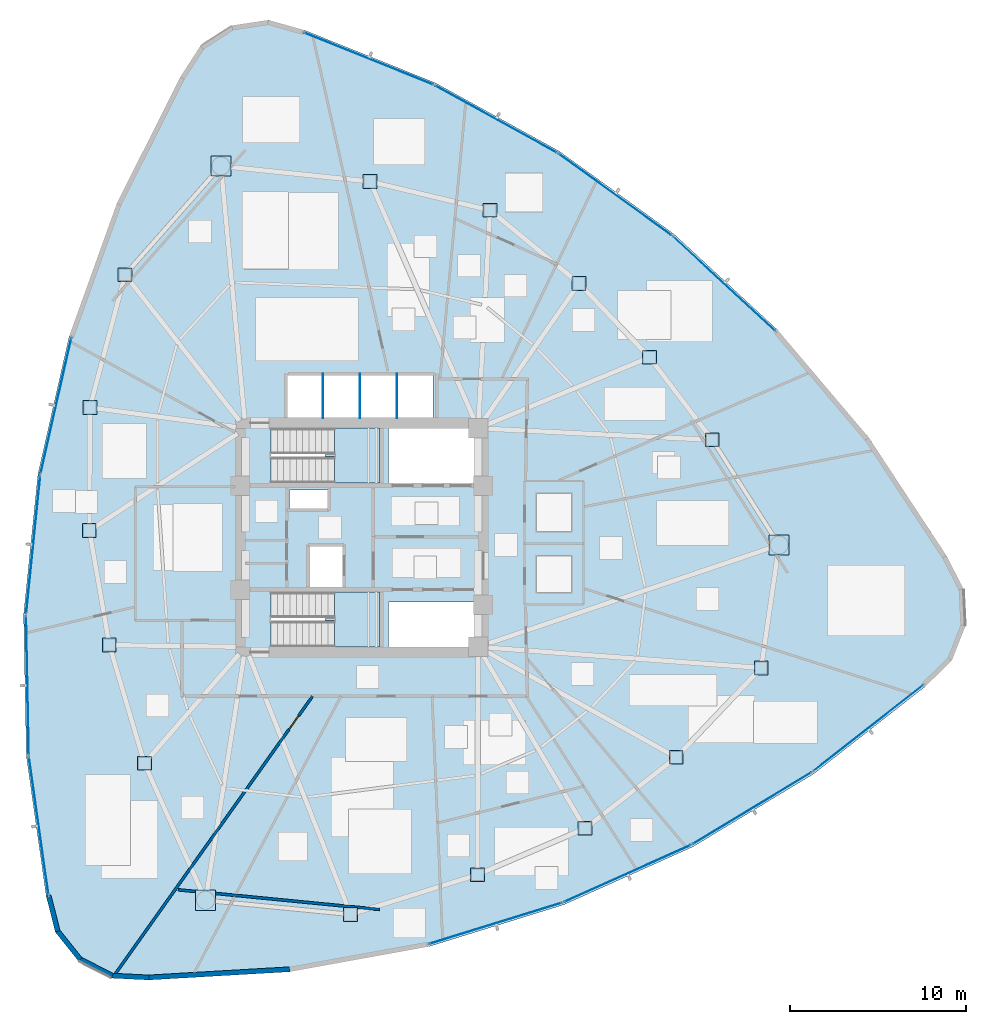
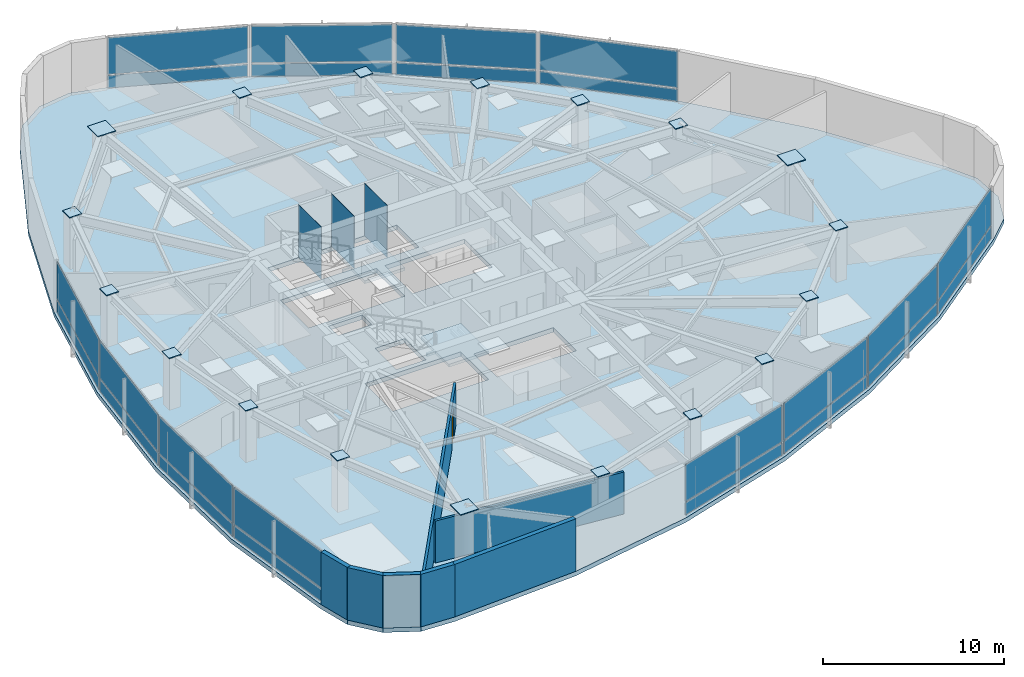
# One storey, part 10 of 17: 45 plates, 7 walls, 3 slabs, 1 door, 1 opening, 14 elements without a shape of their own.
"""IFC4 building model written with IfcOpenShell, lengths in metres."""

import ifcopenshell
import ifcopenshell.guid

model = None  # the IFC model being written
_history = None  # IfcOwnerHistory: only IFC2X3 demands one
_inside = {}  # id of a spatial element -> (the spatial element, [elements in it])
_under = {}  # id of a project, library or spatial element -> (it, [spatial elements below it])
_declared = {}  # id of a project -> (the project, [libraries it declares])
_typed = {}  # id of a type object -> (the type object, [elements of that type])
_made_of = {}  # id of a material, layer set ... -> (it, [elements and type objects made of it])


def new_model(schema):
    """Start an empty IFC model of exactly this schema.

    Asked for "IFC4X3", IfcOpenShell would pick the latest addendum, in which some entities
    have other attributes; the version numbers below select the first issue.
    IFC2X3 requires an IfcOwnerHistory on every rooted entity: one is made here for all.
    """
    global model, _history
    if schema == "IFC4X3":
        model = ifcopenshell.file(schema_version=(4, 3, 0, 0))
    else:
        model = ifcopenshell.file(schema=schema)
    _inside.clear()
    _under.clear()
    _declared.clear()
    _typed.clear()
    _made_of.clear()
    _history = None
    if model.schema == "IFC2X3":
        org = make("IfcOrganization", Name="unknown")
        user = make(
            "IfcPersonAndOrganization",
            ThePerson=make("IfcPerson", FamilyName="unknown"),
            TheOrganization=org,
        )
        app = make(
            "IfcApplication",
            ApplicationDeveloper=org,
            Version="unknown",
            ApplicationFullName="unknown",
            ApplicationIdentifier="unknown",
        )
        _history = make(
            "IfcOwnerHistory",
            OwningUser=user,
            OwningApplication=app,
            ChangeAction="ADDED",
            CreationDate=0,
        )
    return model


def make(cls, **values):
    """One entity of the class cls with the attributes given. An attribute that is None is left unset."""
    return model.create_entity(
        cls, **{name: value for name, value in values.items() if value is not None}
    )


def rooted(cls, **values):
    """An entity with a GlobalId (a new one), such as an element, a storey or a relation."""
    return make(cls, GlobalId=ifcopenshell.guid.new(), OwnerHistory=_history, **values)


def si_unit(unit_type, name, prefix=None):
    """IfcSIUnit, for example si_unit("LENGTHUNIT", "METRE", prefix="MILLI")."""
    return make("IfcSIUnit", UnitType=unit_type, Prefix=prefix, Name=name)


def assignment(units):
    """IfcUnitAssignment: the units of a project."""
    return None if units is None else make("IfcUnitAssignment", Units=units)


def point(xyz):
    """IfcCartesianPoint."""
    return None if xyz is None else make("IfcCartesianPoint", Coordinates=xyz)


def direction(xyz):
    """IfcDirection."""
    return None if xyz is None else make("IfcDirection", DirectionRatios=xyz)


def frame(location, z_axis=None, x_axis=None):
    """IfcAxis2Placement3D, a coordinate frame: its origin and axes. An axis left out is left unset."""
    return make(
        "IfcAxis2Placement3D",
        Location=point(location),
        Axis=direction(z_axis),
        RefDirection=direction(x_axis),
    )


def frame_2d(location, x_axis=None):
    """IfcAxis2Placement2D, a coordinate frame in the plane: its origin and x axis."""
    return make(
        "IfcAxis2Placement2D", Location=point(location), RefDirection=direction(x_axis)
    )


def origin():
    """The frame at (0, 0, 0) with its axes left unset."""
    return frame((0.0, 0.0, 0.0))


def origin_2d():
    """The frame at (0, 0) in the plane with its x axis left unset."""
    return frame_2d((0.0, 0.0))


def place(relative_to, where):
    """IfcLocalPlacement: puts the frame where relative to a parent placement (None: the world)."""
    return make(
        "IfcLocalPlacement", PlacementRelTo=relative_to, RelativePlacement=where
    )


def context(
    kind, dimensions, precision=None, world=None, true_north=None, identifier=None
):
    """IfcGeometricRepresentationContext, for example the 3D "Model" context."""
    return make(
        "IfcGeometricRepresentationContext",
        ContextIdentifier=identifier,
        ContextType=kind,
        CoordinateSpaceDimension=dimensions,
        Precision=precision,
        WorldCoordinateSystem=world,
        TrueNorth=true_north,
    )


def subcontext(parent, identifier, kind, view, scale=None):
    """IfcGeometricRepresentationSubContext, for example "Body" below "Model"."""
    return make(
        "IfcGeometricRepresentationSubContext",
        ContextIdentifier=identifier,
        ContextType=kind,
        ParentContext=parent,
        TargetScale=scale,
        TargetView=view,
    )


def project(units=None, contexts=None):
    """IfcProject with its units and contexts."""
    return rooted(
        "IfcProject",
        Name="project",
        RepresentationContexts=contexts,
        UnitsInContext=assignment(units),
    )


def spatial(cls, under=None, at=None, **own):
    """A site, building, storey or space (cls), placed at a placement, below another one or the project."""
    s = rooted(cls, ObjectPlacement=at, **own)
    if under is not None:
        _under.setdefault(under.id(), (under, []))[1].append(s)
    return s


def polyline(points):
    """IfcPolyline through the points."""
    return make("IfcPolyline", Points=[point(p) for p in points])


def profile(cls, at=None, kind="AREA", **sizes):
    """A parametric profile (cls). Its sizes go by their IFC names, for example OverallWidth=200.0."""
    return make(cls, ProfileType=kind, Position=at, **sizes)


def rectangle(**sizes):
    """IfcRectangleProfileDef."""
    return profile("IfcRectangleProfileDef", **sizes)


def outline(outer, holes=None, kind="AREA"):
    """IfcArbitraryClosedProfileDef: a profile drawn as a closed curve; with holes, ...WithVoids."""
    if holes is None:
        return make("IfcArbitraryClosedProfileDef", ProfileType=kind, OuterCurve=outer)
    return make(
        "IfcArbitraryProfileDefWithVoids",
        ProfileType=kind,
        OuterCurve=outer,
        InnerCurves=holes,
    )


def extrude(swept, where, along, depth):
    """IfcExtrudedAreaSolid: the profile swept, set in the frame where, extruded along a direction by depth."""
    return make(
        "IfcExtrudedAreaSolid",
        SweptArea=swept,
        Position=where,
        ExtrudedDirection=direction(along),
        Depth=depth,
    )


def shape(context_of_items, identifier, shape_type, items):
    """IfcShapeRepresentation: the items that make up one representation, for example the "Body"."""
    return make(
        "IfcShapeRepresentation",
        ContextOfItems=context_of_items,
        RepresentationIdentifier=identifier,
        RepresentationType=shape_type,
        Items=items,
    )


def source(mapping_origin, context_of_items, identifier, shape_type, items):
    """IfcRepresentationMap: a shape defined once, which mapped items show again and again."""
    return make(
        "IfcRepresentationMap",
        MappingOrigin=mapping_origin,
        MappedRepresentation=shape(context_of_items, identifier, shape_type, items),
    )


def transform(
    local_origin,
    x_axis=None,
    y_axis=None,
    z_axis=None,
    scale=None,
    scale2=None,
    scale3=None,
    uniform=True,
):
    """IfcCartesianTransformationOperator3D, or its non-uniform kind. x_axis, y_axis, z_axis: its Axis1, 2, 3."""
    if uniform:
        return make(
            "IfcCartesianTransformationOperator3D",
            Axis1=direction(x_axis),
            Axis2=direction(y_axis),
            LocalOrigin=point(local_origin),
            Scale=scale,
            Axis3=direction(z_axis),
        )
    return make(
        "IfcCartesianTransformationOperator3DnonUniform",
        Axis1=direction(x_axis),
        Axis2=direction(y_axis),
        LocalOrigin=point(local_origin),
        Scale=scale,
        Axis3=direction(z_axis),
        Scale2=scale2,
        Scale3=scale3,
    )


def mapped(mapping_source, mapping_target):
    """IfcMappedItem: shows the shape of a source again, moved by a transform."""
    return make(
        "IfcMappedItem", MappingSource=mapping_source, MappingTarget=mapping_target
    )


def material(Name=None, Category=None):
    """IfcMaterial."""
    return make("IfcMaterial", Name=Name, Category=Category)


def layer(
    of_material, thickness, ventilated=None, Name=None, Category=None, Priority=None
):
    """IfcMaterialLayer: one layer of a wall or slab, of a material (None: an air gap)."""
    return make(
        "IfcMaterialLayer",
        Material=of_material,
        LayerThickness=thickness,
        IsVentilated=ventilated,
        Name=Name,
        Category=Category,
        Priority=Priority,
    )


def layer_set(layers, Name=None):
    """IfcMaterialLayerSet."""
    return make("IfcMaterialLayerSet", MaterialLayers=layers, LayerSetName=Name)


def made_of(thing, what):
    """Note that an element or type object is made of a material, layer set ...; save() writes the relation."""
    if what is not None:
        _made_of.setdefault(what.id(), (what, []))[1].append(thing)
    return thing


def type_object(cls, material=None, **own):
    """A type object (cls), such as IfcWallType, which elements share."""
    return made_of(rooted(cls, **own), material)


def type_shapes(of_type, sources):
    """Give a type object the sources (RepresentationMaps) that its elements show as mapped items."""
    of_type.RepresentationMaps = sources


def element(
    cls,
    number,
    at=None,
    inside=None,
    cuts=None,
    type_object=None,
    material=None,
    context=None,
    identifier="Body",
    shape_type=None,
    held_by="IfcProductDefinitionShape",
    body=None,
    shapes=None,
    **own,
):
    """One element of the class cls, such as IfcWall. Its Tag is "e" and its number.

    at: its placement. inside: the storey or other place that contains it. cuts: it is an
    opening in that element (IfcRelVoidsElement). A single representation is given by context,
    identifier, shape_type and body (its items); several are given by shapes. held_by: the class
    of the entity that holds the representations. save() writes the other relations.
    """
    e = rooted(cls, Tag="e%d" % number, ObjectPlacement=at, **own)
    if body is not None:
        shapes = [shape(context, identifier, shape_type, body)]
    if shapes is not None:
        e.Representation = make(held_by, Representations=shapes)
    if inside is not None:
        _inside.setdefault(inside.id(), (inside, []))[1].append(e)
    if cuts is not None:
        rooted(
            "IfcRelVoidsElement", RelatingBuildingElement=cuts, RelatedOpeningElement=e
        )
    if type_object is not None:
        _typed.setdefault(type_object.id(), (type_object, []))[1].append(e)
    return made_of(e, material)


def fill(opening, filler):
    """IfcRelFillsElement: the door or window that sits in an opening."""
    return rooted(
        "IfcRelFillsElement",
        RelatingOpeningElement=opening,
        RelatedBuildingElement=filler,
    )


def aggregate(whole, parts):
    """IfcRelAggregates: a whole, such as a stair, and the parts it consists of."""
    return rooted("IfcRelAggregates", RelatingObject=whole, RelatedObjects=parts)


def save(model, path):
    """Write the relations noted so far, then the file.

    IfcRelAggregates (storeys below a building ...), IfcRelContainedInSpatialStructure (elements
    in a storey), IfcRelDefinesByType, IfcRelAssociatesMaterial and IfcRelDeclares: one each for
    every whole, place, type object, material and project.
    """
    for whole, parts in _under.values():
        aggregate(whole, parts)
    for where, things in _inside.values():
        rooted(
            "IfcRelContainedInSpatialStructure",
            RelatedElements=things,
            RelatingStructure=where,
        )
    for kind, things in _typed.values():
        rooted("IfcRelDefinesByType", RelatedObjects=things, RelatingType=kind)
    for what, things in _made_of.values():
        rooted("IfcRelAssociatesMaterial", RelatedObjects=things, RelatingMaterial=what)
    for by, libraries in _declared.values():
        rooted("IfcRelDeclares", RelatingContext=by, RelatedDefinitions=libraries)
    model.write(path)


model = new_model("IFC4")

# Units and contexts
model_context = context("Model", 3, precision=1e-05, world=origin(), true_north=direction((0.0, 1.0)))
body_context = subcontext(model_context, "Body", "Model", "MODEL_VIEW")
ifc_project = project(units=[si_unit("LENGTHUNIT", "METRE"), si_unit("AREAUNIT", "SQUARE_METRE"), si_unit("VOLUMEUNIT", "CUBIC_METRE"), si_unit("PLANEANGLEUNIT", "RADIAN"), si_unit("MASSUNIT", "GRAM", prefix="KILO")], contexts=[model_context])

# Site, building, storey
site_placement = place(None, origin())
site = spatial("IfcSite", under=ifc_project, at=site_placement, CompositionType="ELEMENT")
building_placement = place(site_placement, origin())
building = spatial("IfcBuilding", under=site, at=building_placement, Name="Tavelor Broadcast Tower", CompositionType="ELEMENT")
storey_placement = place(building_placement, frame((0.0, 0.0, 119.449951171875)))
storey = spatial("IfcBuildingStorey", under=building, at=storey_placement, Name="L27", CompositionType="ELEMENT", Elevation=119.449951171875)

# Stair, slab
ifc_material_1 = material(Name="Concrete C40/50", Category="concrete")
stair_type = type_object("IfcStairType", Name="Reinforced Concrete Protected Dogleg Stair 1450 mm", PredefinedType="HALF_TURN_STAIR", material=ifc_material_1)
stair_1_placement = place(storey_placement, origin())
stair_1 = element("IfcStair", 1, at=stair_1_placement, inside=storey, type_object=stair_type, Name="L27 Protected Core Exit Stair ST1", PredefinedType="HALF_TURN_STAIR")
ifc_layer_1 = layer(ifc_material_1, 0.199951171875)
ifc_layer_set_1 = layer_set([ifc_layer_1], Name="Concrete C40/50")
slab_type_1 = type_object("IfcSlabType", Name="Reinforced Concrete Stair Half-Landing Slab 200 mm", PredefinedType="LANDING", material=ifc_layer_set_1)
slab_1_placement = place(storey_placement, frame((0.0, 0.0, 1.72509765625)))
slab_1 = element("IfcSlab", 2, at=slab_1_placement, type_object=slab_type_1, Name="ST1 landing 1", PredefinedType="LANDING", context=body_context, shape_type="SweptSolid", body=[
    extrude(outline(polyline([(48.445068359375, 49.590087890625), (48.445068359375, 48.094970703125), (51.0048828125, 48.094970703125), (51.0048828125, 51.205078125), (48.445068359375, 51.205078125), (48.445068359375, 49.7099609375), (47.905029296875, 49.7099609375), (47.905029296875, 49.590087890625), (48.445068359375, 49.590087890625)])), origin(), (0.0, 0.0, 1.0), 0.199951171875),
])
aggregate(stair_1, [slab_1])

stair_2_placement = place(storey_placement, origin())
stair_2 = element("IfcStair", 3, at=stair_2_placement, inside=storey, type_object=stair_type, Name="L27 Protected Core Exit Stair ST2", PredefinedType="HALF_TURN_STAIR")
slab_2_placement = place(storey_placement, frame((0.0, 0.0, 1.72509765625)))
slab_2 = element("IfcSlab", 4, at=slab_2_placement, type_object=slab_type_1, Name="ST2 landing 1", PredefinedType="LANDING", context=body_context, shape_type="SweptSolid", body=[
    extrude(outline(polyline([(48.445068359375, 40.2900390625), (48.445068359375, 38.794921875), (51.0048828125, 38.794921875), (51.0048828125, 41.905029296875), (48.445068359375, 41.905029296875), (48.445068359375, 40.409912109375), (47.905029296875, 40.409912109375), (47.905029296875, 40.2900390625), (48.445068359375, 40.2900390625)])), origin(), (0.0, 0.0, 1.0), 0.199951171875),
])
aggregate(stair_2, [slab_2])

# Slab
ifc_layer_2 = layer(ifc_material_1, 0.300048828125)
ifc_layer_set_2 = layer_set([ifc_layer_2], Name="Concrete C40/50")
slab_type_2 = type_object("IfcSlabType", Name="Tower Composite Floor Slab 300 mm", PredefinedType="FLOOR", material=ifc_layer_set_2)
slab_3_placement = place(storey_placement, frame((0.0, 0.0, -0.300048828125)))
element("IfcSlab", 5, at=slab_3_placement, inside=storey, type_object=slab_type_2, Name="L27 Structural Floor Slab", PredefinedType="FLOOR", context=body_context, shape_type="SweptSolid", body=[
    extrude(outline(polyline([(46.734375, 73.792724609375), (44.706298828125, 74.36474609375), (42.622314453125, 74.051513671875), (40.85205078125, 72.908447265625), (39.708984375, 71.13818359375), (36.10791015625, 63.970947265625), (33.400634765625, 56.420654296875), (31.626953125, 48.59814453125), (30.81298828125, 40.61865234375), (30.970703125, 32.59912109375), (32.097412109375, 24.65771484375), (32.6162109375, 22.615234375), (33.929443359375, 20.96728515625), (35.8046875, 20.005615234375), (37.9091796875, 19.90087890625), (45.916748046875, 20.365966796875), (53.80908203125, 21.796630859375), (61.47021484375, 24.171630859375), (68.787841796875, 27.45654296875), (75.654052734375, 31.602783203125), (81.968017578125, 36.54931640625), (83.4775390625, 38.019775390625), (84.248291015625, 39.981201171875), (84.143310546875, 42.085693359375), (83.181884765625, 43.9609375), (78.775390625, 50.6630859375), (73.590087890625, 56.78271484375), (67.70263671875, 62.22998046875), (61.19921875, 66.9248046875), (54.17529296875, 70.798095703125), (46.734375, 73.792724609375)]), holes=[polyline([(56.60009765625, 41.35009765625), (56.60009765625, 38.800048828125), (51.52001953125, 38.800048828125), (51.52001953125, 41.35009765625), (56.60009765625, 41.35009765625)]), polyline([(50.99609375, 38.803955078125), (44.85400390625, 38.803955078125), (44.85400390625, 41.89599609375), (50.99609375, 41.89599609375), (50.99609375, 38.803955078125)]), polyline([(47.050048828125, 42.199951171875), (47.050048828125, 44.550048828125), (48.949951171875, 44.550048828125), (48.949951171875, 42.199951171875), (47.050048828125, 42.199951171875)]), polyline([(48.050048828125, 46.64990234375), (45.89990234375, 46.64990234375), (45.89990234375, 47.699951171875), (48.050048828125, 47.699951171875), (48.050048828125, 46.64990234375)]), polyline([(50.99609375, 48.10400390625), (44.85400390625, 48.10400390625), (44.85400390625, 51.196044921875), (50.99609375, 51.196044921875), (50.99609375, 48.10400390625)]), polyline([(56.60009765625, 48.10009765625), (51.52001953125, 48.10009765625), (51.52001953125, 51.199951171875), (56.60009765625, 51.199951171875), (56.60009765625, 48.10009765625)]), polyline([(54.050048828125, 51.800048828125), (45.800048828125, 51.800048828125), (45.800048828125, 54.25), (54.050048828125, 54.25), (54.050048828125, 51.800048828125)])]), origin(), (0.0, 0.0, 1.0), 0.300048828125),
])

# Plates
ifc_material_2 = material(Name="Steel S460", Category="steel")
ifc_layer_3 = layer(ifc_material_2, 0.050048828125)
ifc_layer_set_3 = layer_set([ifc_layer_3], Name="Steel S460")
plate_type_1 = type_object("IfcPlateType", Name="Tube Hollow-End Cap Plate KN05 700x700x50", PredefinedType="USERDEFINED", material=ifc_layer_set_3)
shared_shape_1 = source(origin(), body_context, "Body", "SweptSolid", [
    extrude(rectangle(XDim=1.14697265625, YDim=1.14697265625, at=origin_2d()), origin(), (0.0, 0.0, 1.0), 0.054931640625),
])
for number, where, z_axis, x_axis, name in (
    (6, (42.01123046875, 66.080078125, 3.5224609375), (0.0, 0.0, 1.0), (1.0, 0.0, 0.0), "L27 Hollow End Cap Plate KN05 #783"),
    (7, (41.138671875, 24.423828125, 3.5224609375), (0.0, 0.0, 1.0), (1.0, 0.0, 0.0), "L27 Hollow End Cap Plate KN05 #789"),
    (8, (73.676025390625, 44.57958984375, 3.5224609375), (0.0, 0.0, 1.0), (1.0, 0.0, 0.0), "L27 Hollow End Cap Plate KN05 #795"),
):
    element("IfcPlate", number, at=place(storey_placement, frame(where, z_axis=z_axis, x_axis=x_axis)), inside=storey, type_object=plate_type_1, Name=name, ObjectType="CAP PLATE", PredefinedType="USERDEFINED", context=body_context, shape_type="MappedRepresentation", body=[
        mapped(shared_shape_1, transform((0.0, 0.0, 0.0), scale=1.0)),
    ])
shared_shape_2 = source(origin(), body_context, "Body", "SweptSolid", [
    extrude(rectangle(XDim=0.780029296875, YDim=0.780029296875, at=origin_2d()), origin(), (0.0, 0.0, 1.0), 0.054931640625),
])
type_shapes(plate_type_1, [shared_shape_1, shared_shape_2])
for number, where, z_axis, x_axis, name in (
    (9, (36.567626953125, 59.91064453125, 3.5224609375), (0.0, 0.0, 1.0), (1.0, 0.0, 0.0), "L27 Hollow End Cap Plate KN05 #784"),
    (10, (34.5751953125, 52.37939453125, 3.5224609375), (0.0, 0.0, 1.0), (1.0, 0.0, 0.0), "L27 Hollow End Cap Plate KN05 #785"),
    (11, (34.54638671875, 45.399169921875, 3.5224609375), (0.0, 0.0, 1.0), (1.0, 0.0, 0.0), "L27 Hollow End Cap Plate KN05 #786"),
    (12, (35.680908203125, 38.89990234375, 3.5224609375), (0.0, 0.0, 1.0), (1.0, 0.0, 0.0), "L27 Hollow End Cap Plate KN05 #787"),
    (13, (37.668212890625, 32.1904296875, 3.5224609375), (0.0, 0.0, 1.0), (1.0, 0.0, 0.0), "L27 Hollow End Cap Plate KN05 #788"),
    (14, (49.366455078125, 23.618896484375, 3.5224609375), (0.0, 0.0, 1.0), (1.0, 0.0, 0.0), "L27 Hollow End Cap Plate KN05 #790"),
    (15, (56.56103515625, 25.872802734375, 3.5224609375), (0.0, 0.0, 1.0), (1.0, 0.0, 0.0), "L27 Hollow End Cap Plate KN05 #791"),
    (16, (62.669189453125, 28.503173828125, 3.5224609375), (0.0, 0.0, 1.0), (1.0, 0.0, 0.0), "L27 Hollow End Cap Plate KN05 #792"),
    (17, (67.84228515625, 32.53173828125, 3.5224609375), (0.0, 0.0, 1.0), (1.0, 0.0, 0.0), "L27 Hollow End Cap Plate KN05 #793"),
    (18, (72.6591796875, 37.607421875, 3.5224609375), (0.0, 0.0, 1.0), (1.0, 0.0, 0.0), "L27 Hollow End Cap Plate KN05 #794"),
    (19, (69.885986328125, 50.544189453125, 3.5224609375), (0.0, 0.0, 1.0), (1.0, 0.0, 0.0), "L27 Hollow End Cap Plate KN05 #796"),
    (20, (66.322021484375, 55.228759765625, 3.5224609375), (0.0, 0.0, 1.0), (1.0, 0.0, 0.0), "L27 Hollow End Cap Plate KN05 #797"),
    (21, (62.330810546875, 59.416259765625, 3.5224609375), (0.0, 0.0, 1.0), (1.0, 0.0, 0.0), "L27 Hollow End Cap Plate KN05 #798"),
    (22, (57.276611328125, 63.568359375, 3.5224609375), (0.0, 0.0, 1.0), (1.0, 0.0, 0.0), "L27 Hollow End Cap Plate KN05 #799"),
    (23, (50.472412109375, 65.2021484375, 3.5224609375), (0.0, 0.0, 1.0), (1.0, 0.0, 0.0), "L27 Hollow End Cap Plate KN05 #800"),
):
    element("IfcPlate", number, at=place(storey_placement, frame(where, z_axis=z_axis, x_axis=x_axis)), inside=storey, type_object=plate_type_1, Name=name, ObjectType="CAP PLATE", PredefinedType="USERDEFINED", context=body_context, shape_type="MappedRepresentation", body=[
        mapped(shared_shape_2, transform((0.0, 0.0, 0.0), scale=1.0)),
    ])
ifc_material_3 = material(Name="Steel S355", Category="steel")
ifc_layer_4 = layer(ifc_material_3, 0.011962890625)
ifc_layer_set_4 = layer_set([ifc_layer_4], Name="Steel S355")
plate_type_2 = type_object("IfcPlateType", Name="Hoistway Steel Separator Screen 12 mm", PredefinedType="SHEET", material=ifc_layer_set_4)
shared_shape_3 = source(origin(), body_context, "Body", "SweptSolid", [
    extrude(rectangle(XDim=0.02001953125, YDim=2.52001953125, at=origin_2d()), origin(), (0.0, 0.0, 1.0), 3.550048828125),
])
type_shapes(plate_type_2, [shared_shape_3])
for number, where, z_axis, x_axis, name in (
    (24, (47.800048828125, 53.0400390625, 0.0), (0.0, 0.0, 1.0), (1.0, 0.0, 0.0), "L27 High-Rise Hoistway Separator Screen 1"),
    (25, (49.89990234375, 53.0400390625, 0.0), (0.0, 0.0, 1.0), (1.0, 0.0, 0.0), "L27 High-Rise Hoistway Separator Screen 2"),
    (26, (52.0, 53.0400390625, 0.0), (0.0, 0.0, 1.0), (1.0, 0.0, 0.0), "L27 High-Rise Hoistway Separator Screen 3"),
):
    element("IfcPlate", number, at=place(storey_placement, frame(where, z_axis=z_axis, x_axis=x_axis)), inside=storey, type_object=plate_type_2, Name=name, PredefinedType="SHEET", context=body_context, shape_type="MappedRepresentation", body=[
        mapped(shared_shape_3, transform((0.0, 0.0, 0.0), scale=1.0)),
    ])

# Curtain wall, plate
ifc_material_4 = material(Name="Architectural Anodized Aluminium", Category="aluminium")
ifc_layer_5 = layer(ifc_material_4, 0.18994140625)
ifc_layer_set_5 = layer_set([ifc_layer_5], Name="Architectural Anodized Aluminium")
curtain_wall_type = type_object("IfcCurtainWallType", Name="Tower Mid-Zone Acoustic Curtain Wall CW03", PredefinedType="NOTDEFINED", material=ifc_layer_set_5)
curtain_wall_1_placement = place(storey_placement, origin())
curtain_wall_1 = element("IfcCurtainWall", 27, at=curtain_wall_1_placement, inside=storey, type_object=curtain_wall_type, Name="L27 Curtain Wall CW03 Run 265", PredefinedType="NOTDEFINED")
ifc_material_5 = material(Name="Solar Control Double Glazing 30 mm", Category="glass")
ifc_layer_6 = layer(ifc_material_5, 0.030029296875)
ifc_layer_set_6 = layer_set([ifc_layer_6], Name="Solar Control Double Glazing 30 mm")
plate_type_3 = type_object("IfcPlateType", Name="CW03 Insulated Vision Glazing Panel 30 mm", PredefinedType="CURTAIN_PANEL", material=ifc_layer_set_6)
shared_shape_4 = source(origin(), body_context, "Body", "SweptSolid", [
    extrude(rectangle(XDim=7.85302734375, YDim=0.030029296875, at=origin_2d()), origin(), (0.0, 0.0, 1.0), 0.847900390625),
])
plate_1_placement = place(storey_placement, frame((32.652099609375, 52.48583984375, 0.06787109375), z_axis=(0.0, 0.0, 1.0), x_axis=(-0.221141733668, -0.975241679601, 0.0)))
plate_1 = element("IfcPlate", 28, at=plate_1_placement, type_object=plate_type_3, Name="CW03 panel 1.1", PredefinedType="CURTAIN_PANEL", context=body_context, shape_type="MappedRepresentation", body=[
    mapped(shared_shape_4, transform((0.0, 0.0, 0.0), scale=1.0)),
])

curtain_wall_2_placement = place(storey_placement, origin())
curtain_wall_2 = element("IfcCurtainWall", 29, at=curtain_wall_2_placement, inside=storey, type_object=curtain_wall_type, Name="L27 Curtain Wall CW03 Run 273", PredefinedType="NOTDEFINED")
plate_2_placement = place(storey_placement, frame((70.556884765625, 59.3984375, 0.06787109375), z_axis=(0.0, 0.0, 1.0), x_axis=(-0.734024091256, 0.679123430207, 0.0)))
plate_2 = element("IfcPlate", 30, at=plate_2_placement, type_object=plate_type_3, Name="CW03 panel 1.1", PredefinedType="CURTAIN_PANEL", context=body_context, shape_type="MappedRepresentation", body=[
    mapped(shared_shape_4, transform((0.0, 0.0, 0.0), scale=1.0)),
])

# Plate
shared_shape_5 = source(origin(), body_context, "Body", "SweptSolid", [
    extrude(rectangle(XDim=7.85302734375, YDim=0.030029296875, at=origin_2d()), origin(), (0.0, 0.0, 1.0), 2.498046875),
])
plate_3_placement = place(storey_placement, frame((32.652099609375, 52.48583984375, 0.984130859375), z_axis=(0.0, 0.0, 1.0), x_axis=(-0.221141733668, -0.975241679601, 0.0)))
plate_3 = element("IfcPlate", 31, at=plate_3_placement, type_object=plate_type_3, Name="CW03 panel 1.2", PredefinedType="CURTAIN_PANEL", context=body_context, shape_type="MappedRepresentation", body=[
    mapped(shared_shape_5, transform((0.0, 0.0, 0.0), scale=1.0)),
])

aggregate(curtain_wall_1, [plate_1, plate_3])

plate_4_placement = place(storey_placement, frame((70.556884765625, 59.3984375, 0.984130859375), z_axis=(0.0, 0.0, 1.0), x_axis=(-0.734024091256, 0.679123430207, 0.0)))
plate_4 = element("IfcPlate", 32, at=plate_4_placement, type_object=plate_type_3, Name="CW03 panel 1.2", PredefinedType="CURTAIN_PANEL", context=body_context, shape_type="MappedRepresentation", body=[
    mapped(shared_shape_5, transform((0.0, 0.0, 0.0), scale=1.0)),
])

aggregate(curtain_wall_2, [plate_2, plate_4])

# Curtain wall, plate
curtain_wall_3_placement = place(storey_placement, origin())
curtain_wall_3 = element("IfcCurtainWall", 33, at=curtain_wall_3_placement, inside=storey, type_object=curtain_wall_type, Name="L27 Curtain Wall CW03 Run 266", PredefinedType="NOTDEFINED")
shared_shape_6 = source(origin(), body_context, "Body", "SweptSolid", [
    extrude(rectangle(XDim=7.837890625, YDim=0.030029296875, at=origin_2d()), origin(), (0.0, 0.0, 1.0), 0.847900390625),
])
plate_5_placement = place(storey_placement, frame((31.359375, 44.59423828125, 0.06787109375), z_axis=(0.0, 0.0, 1.0), x_axis=(-0.101480252685, -0.994837553732, 0.0)))
plate_5 = element("IfcPlate", 34, at=plate_5_placement, type_object=plate_type_3, Name="CW03 panel 1.1", PredefinedType="CURTAIN_PANEL", context=body_context, shape_type="MappedRepresentation", body=[
    mapped(shared_shape_6, transform((0.0, 0.0, 0.0), scale=1.0)),
])

curtain_wall_4_placement = place(storey_placement, origin())
curtain_wall_4 = element("IfcCurtainWall", 35, at=curtain_wall_4_placement, inside=storey, type_object=curtain_wall_type, Name="L27 Curtain Wall CW03 Run 271", PredefinedType="NOTDEFINED")
plate_6_placement = place(storey_placement, frame((72.148681640625, 29.649658203125, 0.06787109375), z_axis=(0.0, 0.0, 1.0), x_axis=(0.856034395661, 0.516918865438, 0.0)))
plate_6 = element("IfcPlate", 36, at=plate_6_placement, type_object=plate_type_3, Name="CW03 panel 1.1", PredefinedType="CURTAIN_PANEL", context=body_context, shape_type="MappedRepresentation", body=[
    mapped(shared_shape_6, transform((0.0, 0.0, 0.0), scale=1.0)),
])

curtain_wall_5_placement = place(storey_placement, origin())
curtain_wall_5 = element("IfcCurtainWall", 37, at=curtain_wall_5_placement, inside=storey, type_object=curtain_wall_type, Name="L27 Curtain Wall CW03 Run 275", PredefinedType="NOTDEFINED")
plate_7_placement = place(storey_placement, frame((57.61962890625, 68.73876953125, 0.06787109375), z_axis=(0.0, 0.0, 1.0), x_axis=(-0.87568210643, 0.482888028925, 0.0)))
plate_7 = element("IfcPlate", 38, at=plate_7_placement, type_object=plate_type_3, Name="CW03 panel 1.1", PredefinedType="CURTAIN_PANEL", context=body_context, shape_type="MappedRepresentation", body=[
    mapped(shared_shape_6, transform((0.0, 0.0, 0.0), scale=1.0)),
])

# Plate
shared_shape_7 = source(origin(), body_context, "Body", "SweptSolid", [
    extrude(rectangle(XDim=7.837890625, YDim=0.030029296875, at=origin_2d()), origin(), (0.0, 0.0, 1.0), 2.498046875),
])
plate_8_placement = place(storey_placement, frame((31.359375, 44.59423828125, 0.984130859375), z_axis=(0.0, 0.0, 1.0), x_axis=(-0.101480252685, -0.994837553732, 0.0)))
plate_8 = element("IfcPlate", 39, at=plate_8_placement, type_object=plate_type_3, Name="CW03 panel 1.2", PredefinedType="CURTAIN_PANEL", context=body_context, shape_type="MappedRepresentation", body=[
    mapped(shared_shape_7, transform((0.0, 0.0, 0.0), scale=1.0)),
])

aggregate(curtain_wall_3, [plate_5, plate_8])

plate_9_placement = place(storey_placement, frame((72.148681640625, 29.649658203125, 0.984130859375), z_axis=(0.0, 0.0, 1.0), x_axis=(0.856034395661, 0.516918865438, 0.0)))
plate_9 = element("IfcPlate", 40, at=plate_9_placement, type_object=plate_type_3, Name="CW03 panel 1.2", PredefinedType="CURTAIN_PANEL", context=body_context, shape_type="MappedRepresentation", body=[
    mapped(shared_shape_7, transform((0.0, 0.0, 0.0), scale=1.0)),
])

aggregate(curtain_wall_4, [plate_6, plate_9])

plate_10_placement = place(storey_placement, frame((57.61962890625, 68.73876953125, 0.984130859375), z_axis=(0.0, 0.0, 1.0), x_axis=(-0.87568210643, 0.482888028925, 0.0)))
plate_10 = element("IfcPlate", 41, at=plate_10_placement, type_object=plate_type_3, Name="CW03 panel 1.2", PredefinedType="CURTAIN_PANEL", context=body_context, shape_type="MappedRepresentation", body=[
    mapped(shared_shape_7, transform((0.0, 0.0, 0.0), scale=1.0)),
])

aggregate(curtain_wall_5, [plate_7, plate_10])

# Curtain wall, plate
curtain_wall_6_placement = place(storey_placement, origin())
curtain_wall_6 = element("IfcCurtainWall", 42, at=curtain_wall_6_placement, inside=storey, type_object=curtain_wall_type, Name="L27 Curtain Wall CW03 Run 267", PredefinedType="NOTDEFINED")
shared_shape_8 = source(origin(), body_context, "Body", "SweptSolid", [
    extrude(rectangle(XDim=7.838134765625, YDim=0.030029296875, at=origin_2d()), origin(), (0.0, 0.0, 1.0), 0.847900390625),
])
plate_11_placement = place(storey_placement, frame((31.03173828125, 36.611572265625, 0.06787109375), z_axis=(0.0, 0.0, 1.0), x_axis=(0.019651268793, -0.999806895173, 0.0)))
plate_11 = element("IfcPlate", 43, at=plate_11_placement, type_object=plate_type_3, Name="CW03 panel 1.1", PredefinedType="CURTAIN_PANEL", context=body_context, shape_type="MappedRepresentation", body=[
    mapped(shared_shape_8, transform((0.0, 0.0, 0.0), scale=1.0)),
])

curtain_wall_7_placement = place(storey_placement, origin())
curtain_wall_7 = element("IfcCurtainWall", 44, at=curtain_wall_7_placement, inside=storey, type_object=curtain_wall_type, Name="L27 Curtain Wall CW03 Run 270", PredefinedType="NOTDEFINED")
plate_12_placement = place(storey_placement, frame((65.07177734375, 25.94189453125, 0.06787109375), z_axis=(0.0, 0.0, 1.0), x_axis=(0.912292579064, 0.4095390704, 0.0)))
plate_12 = element("IfcPlate", 45, at=plate_12_placement, type_object=plate_type_3, Name="CW03 panel 1.1", PredefinedType="CURTAIN_PANEL", context=body_context, shape_type="MappedRepresentation", body=[
    mapped(shared_shape_8, transform((0.0, 0.0, 0.0), scale=1.0)),
])

curtain_wall_8_placement = place(storey_placement, origin())
curtain_wall_8 = element("IfcCurtainWall", 46, at=curtain_wall_8_placement, inside=storey, type_object=curtain_wall_type, Name="L27 Curtain Wall CW03 Run 274", PredefinedType="NOTDEFINED")
plate_13_placement = place(storey_placement, frame((64.368896484375, 64.4638671875, 0.06787109375), z_axis=(0.0, 0.0, 1.0), x_axis=(-0.810807515981, 0.585312883874, 0.0)))
plate_13 = element("IfcPlate", 47, at=plate_13_placement, type_object=plate_type_3, Name="CW03 panel 1.1", PredefinedType="CURTAIN_PANEL", context=body_context, shape_type="MappedRepresentation", body=[
    mapped(shared_shape_8, transform((0.0, 0.0, 0.0), scale=1.0)),
])

# Plate
shared_shape_9 = source(origin(), body_context, "Body", "SweptSolid", [
    extrude(rectangle(XDim=7.838134765625, YDim=0.030029296875, at=origin_2d()), origin(), (0.0, 0.0, 1.0), 2.498046875),
])
plate_14_placement = place(storey_placement, frame((31.03173828125, 36.611572265625, 0.984130859375), z_axis=(0.0, 0.0, 1.0), x_axis=(0.019651268793, -0.999806895173, 0.0)))
plate_14 = element("IfcPlate", 48, at=plate_14_placement, type_object=plate_type_3, Name="CW03 panel 1.2", PredefinedType="CURTAIN_PANEL", context=body_context, shape_type="MappedRepresentation", body=[
    mapped(shared_shape_9, transform((0.0, 0.0, 0.0), scale=1.0)),
])

aggregate(curtain_wall_6, [plate_11, plate_14])

plate_15_placement = place(storey_placement, frame((65.07177734375, 25.94189453125, 0.984130859375), z_axis=(0.0, 0.0, 1.0), x_axis=(0.912292579064, 0.4095390704, 0.0)))
plate_15 = element("IfcPlate", 49, at=plate_15_placement, type_object=plate_type_3, Name="CW03 panel 1.2", PredefinedType="CURTAIN_PANEL", context=body_context, shape_type="MappedRepresentation", body=[
    mapped(shared_shape_9, transform((0.0, 0.0, 0.0), scale=1.0)),
])

aggregate(curtain_wall_7, [plate_12, plate_15])

plate_16_placement = place(storey_placement, frame((64.368896484375, 64.4638671875, 0.984130859375), z_axis=(0.0, 0.0, 1.0), x_axis=(-0.810807515981, 0.585312883874, 0.0)))
plate_16 = element("IfcPlate", 50, at=plate_16_placement, type_object=plate_type_3, Name="CW03 panel 1.2", PredefinedType="CURTAIN_PANEL", context=body_context, shape_type="MappedRepresentation", body=[
    mapped(shared_shape_9, transform((0.0, 0.0, 0.0), scale=1.0)),
])

aggregate(curtain_wall_8, [plate_13, plate_16])

# Curtain wall, plate
curtain_wall_9_placement = place(storey_placement, origin())
curtain_wall_9 = element("IfcCurtainWall", 51, at=curtain_wall_9_placement, inside=storey, type_object=curtain_wall_type, Name="L27 Curtain Wall CW03 Run 268", PredefinedType="NOTDEFINED")
shared_shape_10 = source(origin(), body_context, "Body", "SweptSolid", [
    extrude(rectangle(XDim=7.85400390625, YDim=0.030029296875, at=origin_2d()), origin(), (0.0, 0.0, 1.0), 0.847900390625),
])
plate_17_placement = place(storey_placement, frame((31.673828125, 28.64013671875, 0.06787109375), z_axis=(0.0, 0.0, 1.0), x_axis=(0.140501390307, -0.990080481235, 0.0)))
plate_17 = element("IfcPlate", 52, at=plate_17_placement, type_object=plate_type_3, Name="CW03 panel 1.1", PredefinedType="CURTAIN_PANEL", context=body_context, shape_type="MappedRepresentation", body=[
    mapped(shared_shape_10, transform((0.0, 0.0, 0.0), scale=1.0)),
])

curtain_wall_10_placement = place(storey_placement, origin())
curtain_wall_10 = element("IfcCurtainWall", 53, at=curtain_wall_10_placement, inside=storey, type_object=curtain_wall_type, Name="L27 Curtain Wall CW03 Run 276", PredefinedType="NOTDEFINED")
plate_18_placement = place(storey_placement, frame((50.395263671875, 72.16845703125, 0.06787109375), z_axis=(0.0, 0.0, 1.0), x_axis=(-0.927682199255, 0.37337077709, 0.0)))
plate_18 = element("IfcPlate", 54, at=plate_18_placement, type_object=plate_type_3, Name="CW03 panel 1.1", PredefinedType="CURTAIN_PANEL", context=body_context, shape_type="MappedRepresentation", body=[
    mapped(shared_shape_10, transform((0.0, 0.0, 0.0), scale=1.0)),
])

# Plate
shared_shape_11 = source(origin(), body_context, "Body", "SweptSolid", [
    extrude(rectangle(XDim=7.85400390625, YDim=0.030029296875, at=origin_2d()), origin(), (0.0, 0.0, 1.0), 2.498046875),
])
plate_19_placement = place(storey_placement, frame((31.673828125, 28.64013671875, 0.984130859375), z_axis=(0.0, 0.0, 1.0), x_axis=(0.140501390307, -0.990080481235, 0.0)))
plate_19 = element("IfcPlate", 55, at=plate_19_placement, type_object=plate_type_3, Name="CW03 panel 1.2", PredefinedType="CURTAIN_PANEL", context=body_context, shape_type="MappedRepresentation", body=[
    mapped(shared_shape_11, transform((0.0, 0.0, 0.0), scale=1.0)),
])

aggregate(curtain_wall_9, [plate_17, plate_19])

plate_20_placement = place(storey_placement, frame((50.395263671875, 72.16845703125, 0.984130859375), z_axis=(0.0, 0.0, 1.0), x_axis=(-0.927682199255, 0.37337077709, 0.0)))
plate_20 = element("IfcPlate", 56, at=plate_20_placement, type_object=plate_type_3, Name="CW03 panel 1.2", PredefinedType="CURTAIN_PANEL", context=body_context, shape_type="MappedRepresentation", body=[
    mapped(shared_shape_11, transform((0.0, 0.0, 0.0), scale=1.0)),
])

aggregate(curtain_wall_10, [plate_18, plate_20])

# Curtain wall, plates
curtain_wall_11_placement = place(storey_placement, origin())
curtain_wall_11 = element("IfcCurtainWall", 57, at=curtain_wall_11_placement, inside=storey, type_object=curtain_wall_type, Name="L27 Curtain Wall CW03 Run 269", PredefinedType="NOTDEFINED")
shared_shape_12 = source(origin(), body_context, "Body", "SweptSolid", [
    extrude(rectangle(XDim=7.852783203125, YDim=0.030029296875, at=origin_2d()), origin(), (0.0, 0.0, 1.0), 0.847900390625),
])
plate_21_placement = place(storey_placement, frame((57.591064453125, 23.11572265625, 0.06787109375), z_axis=(0.0, 0.0, 1.0), x_axis=(0.955149749894, 0.296123209623, 0.0)))
plate_21 = element("IfcPlate", 58, at=plate_21_placement, type_object=plate_type_3, Name="CW03 panel 1.1", PredefinedType="CURTAIN_PANEL", context=body_context, shape_type="MappedRepresentation", body=[
    mapped(shared_shape_12, transform((0.0, 0.0, 0.0), scale=1.0)),
])
shared_shape_13 = source(origin(), body_context, "Body", "SweptSolid", [
    extrude(rectangle(XDim=7.852783203125, YDim=0.030029296875, at=origin_2d()), origin(), (0.0, 0.0, 1.0), 2.498046875),
])
plate_22_placement = place(storey_placement, frame((57.591064453125, 23.11572265625, 0.984130859375), z_axis=(0.0, 0.0, 1.0), x_axis=(0.955149749894, 0.296123209623, 0.0)))
plate_22 = element("IfcPlate", 59, at=plate_22_placement, type_object=plate_type_3, Name="CW03 panel 1.2", PredefinedType="CURTAIN_PANEL", context=body_context, shape_type="MappedRepresentation", body=[
    mapped(shared_shape_13, transform((0.0, 0.0, 0.0), scale=1.0)),
])
aggregate(curtain_wall_11, [plate_21, plate_22])

curtain_wall_12_placement = place(storey_placement, origin())
curtain_wall_12 = element("IfcCurtainWall", 60, at=curtain_wall_12_placement, inside=storey, type_object=curtain_wall_type, Name="L27 Curtain Wall CW03 Run 272", PredefinedType="NOTDEFINED")
shared_shape_14 = source(origin(), body_context, "Body", "SweptSolid", [
    extrude(rectangle(XDim=7.853759765625, YDim=0.030029296875, at=origin_2d()), origin(), (0.0, 0.0, 1.0), 0.847900390625),
])
plate_23_placement = place(storey_placement, frame((78.73095703125, 34.191162109375, 0.06787109375), z_axis=(0.0, 0.0, 1.0), x_axis=(0.787184001521, 0.616718207733, 0.0)))
plate_23 = element("IfcPlate", 61, at=plate_23_placement, type_object=plate_type_3, Name="CW03 panel 1.1", PredefinedType="CURTAIN_PANEL", context=body_context, shape_type="MappedRepresentation", body=[
    mapped(shared_shape_14, transform((0.0, 0.0, 0.0), scale=1.0)),
])
shared_shape_15 = source(origin(), body_context, "Body", "SweptSolid", [
    extrude(rectangle(XDim=7.853759765625, YDim=0.030029296875, at=origin_2d()), origin(), (0.0, 0.0, 1.0), 2.498046875),
])
type_shapes(plate_type_3, [shared_shape_4, shared_shape_5, shared_shape_6, shared_shape_7, shared_shape_8, shared_shape_9, shared_shape_10, shared_shape_11, shared_shape_12, shared_shape_13, shared_shape_14, shared_shape_15])
plate_24_placement = place(storey_placement, frame((78.73095703125, 34.191162109375, 0.984130859375), z_axis=(0.0, 0.0, 1.0), x_axis=(0.787184001521, 0.616718207733, 0.0)))
plate_24 = element("IfcPlate", 62, at=plate_24_placement, type_object=plate_type_3, Name="CW03 panel 1.2", PredefinedType="CURTAIN_PANEL", context=body_context, shape_type="MappedRepresentation", body=[
    mapped(shared_shape_15, transform((0.0, 0.0, 0.0), scale=1.0)),
])
aggregate(curtain_wall_12, [plate_23, plate_24])

# Walls
ifc_material_6 = material(Name="Precast Concrete C40/50", Category="concrete")
ifc_layer_7 = layer(ifc_material_6, 0.280029296875)
ifc_layer_set_7 = layer_set([ifc_layer_7], Name="Precast Concrete C40/50")
wall_type_1 = type_object("IfcWallType", Name="Insulated Precast Terracotta Facade Wall 280 mm", PredefinedType="STANDARD", material=ifc_layer_set_7)
wall_1_placement = place(storey_placement, frame((32.234130859375, 24.688720703125, 0.0), z_axis=(0.0, 0.0, 1.0), x_axis=(0.246164303734, -0.969228113277, 0.0)))
element("IfcWall", 63, at=wall_1_placement, inside=storey, type_object=wall_type_1, Name="L27 Rounded Corner Structural Cladding Pier 11", PredefinedType="STANDARD", context=body_context, shape_type="SweptSolid", body=[
    extrude(rectangle(XDim=2.088623046875, YDim=0.280029296875, at=frame_2d((1.04443359375, 0.0))), origin(), (0.0, 0.0, 1.0), 3.550048828125),
])
for number, where, z_axis, x_axis, name in (
    (64, (32.735107421875, 22.690673828125, 0.0), (0.0, 0.0, 1.0), (0.623231788046, -0.782037171986, 0.0), "L27 Rounded Corner Structural Cladding Pier 12"),
    (65, (34.0068359375, 21.0849609375, 0.0), (0.0, 0.0, 1.0), (0.889819910391, -0.456311874787, 0.0), "L27 Rounded Corner Structural Cladding Pier 13"),
):
    element("IfcWall", number, at=place(storey_placement, frame(where, z_axis=z_axis, x_axis=x_axis)), inside=storey, type_object=wall_type_1, Name=name, PredefinedType="STANDARD", context=body_context, shape_type="SweptSolid", body=[
        extrude(rectangle(XDim=2.076904296875, YDim=0.280029296875, at=frame_2d((1.03857421875, 0.0))), origin(), (0.0, 0.0, 1.0), 3.550048828125),
    ])
wall_2_placement = place(storey_placement, frame((35.82666015625, 20.144775390625, 0.0), z_axis=(0.0, 0.0, 1.0), x_axis=(0.998760734261, -0.049769425342, 0.0)))
element("IfcWall", 66, at=wall_2_placement, inside=storey, type_object=wall_type_1, Name="L27 Rounded Corner Structural Cladding Pier 14", PredefinedType="STANDARD", context=body_context, shape_type="SweptSolid", body=[
    extrude(rectangle(XDim=2.099609375, YDim=0.280029296875, at=frame_2d((1.0498046875, 0.0))), origin(), (0.0, 0.0, 1.0), 3.550048828125),
])
wall_3_placement = place(storey_placement, frame((37.8935546875, 20.040283203125, 0.0), z_axis=(0.0, 0.0, 1.0), x_axis=(0.998318098228, 0.057973914397, 0.0)))
element("IfcWall", 67, at=wall_3_placement, inside=storey, type_object=wall_type_1, Name="L27 Rounded Corner Structural Cladding Pier 15", PredefinedType="STANDARD", context=body_context, shape_type="SweptSolid", body=[
    extrude(rectangle(XDim=8.034912109375, YDim=0.280029296875, at=frame_2d((4.017578125, 0.0))), origin(), (0.0, 0.0, 1.0), 3.550048828125),
])
ifc_material_7 = material(Name="Gypsum Acoustic Plasterboard 150 mm", Category="gypsum")
ifc_layer_8 = layer(ifc_material_7, 0.14990234375)
ifc_layer_set_8 = layer_set([ifc_layer_8], Name="Gypsum Acoustic Plasterboard 150 mm")
wall_type_2 = type_object("IfcWallType", Name="Interior Acoustic Partition Wall 150 mm", PredefinedType="PARTITIONING", material=ifc_layer_set_8)
wall_4_placement = place(storey_placement, frame((39.589111328125, 25.017578125, 0.0), z_axis=(0.0, 0.0, 1.0), x_axis=(0.99524905582, -0.097361783517, 0.0)))
element("IfcWall", 68, at=wall_4_placement, inside=storey, type_object=wall_type_2, Name="L27 Corner Tube Brace Furring Wall 2", PredefinedType="PARTITIONING", context=body_context, shape_type="SweptSolid", body=[
    extrude(rectangle(XDim=11.467041015625, YDim=0.14990234375, at=frame_2d((5.7333984375, 0.0))), origin(), (0.0, 0.0, 1.0), 2.8349609375),
])

# Wall, opening, door
wall_5_placement = place(storey_placement, frame((47.20703125, 36.0, 0.0), z_axis=(0.0, 0.0, 1.0), x_axis=(-0.579094837848, -0.815260184713, 0.0)))
wall_5 = element("IfcWall", 69, at=wall_5_placement, inside=storey, type_object=wall_type_2, Name="L27 Radial Compartment Wall 11", PredefinedType="PARTITIONING", context=body_context, shape_type="SweptSolid", body=[
    extrude(rectangle(XDim=19.467041015625, YDim=0.14990234375, at=frame_2d((9.7333984375, 0.0))), origin(), (0.0, 0.0, 1.0), 2.8349609375),
])
opening_placement = place(wall_5_placement, frame((1.35009765625, 0.0, 0.0)))
opening = element("IfcOpeningElement", 70, at=opening_placement, cuts=wall_5, Name="Opening DR18", PredefinedType="OPENING", context=body_context, shape_type="SweptSolid", body=[
    extrude(rectangle(XDim=0.949951171875, YDim=2.050048828125, at=frame_2d((0.47509765625, 1.02490234375))), frame((0.0, 0.0849609375, 0.0), z_axis=(0.0, -1.0, 0.0), x_axis=(1.0, 0.0, 0.0)), (0.0, 0.0, 1.0), 0.169921875),
])
ifc_material_8 = material(Name="Timber Solid Core Hardwood", Category="wood")
door_type = type_object("IfcDoorType", Name="Corridor Rated Compartment Door 950x2050", OperationType="NOTDEFINED", PredefinedType="DOOR", material=ifc_material_8)
door_placement = place(opening_placement, origin())
door = element("IfcDoor", 71, at=door_placement, inside=storey, type_object=door_type, Name="L27 Suite Connecting Door 4", OperationType="SINGLE_SWING_LEFT", OverallHeight=2.050048828125, OverallWidth=0.949951171875, PredefinedType="DOOR", context=body_context, shape_type="SweptSolid", body=[
    extrude(rectangle(XDim=0.949951171875, YDim=2.050048828125, at=frame_2d((0.47509765625, 1.02490234375))), frame((0.0, 0.02490234375, 0.0), z_axis=(0.0, -1.0, 0.0), x_axis=(1.0, 0.0, 0.0)), (0.0, 0.0, 1.0), 0.050048828125),
])
fill(opening, door)

save(model, "model.ifc")
